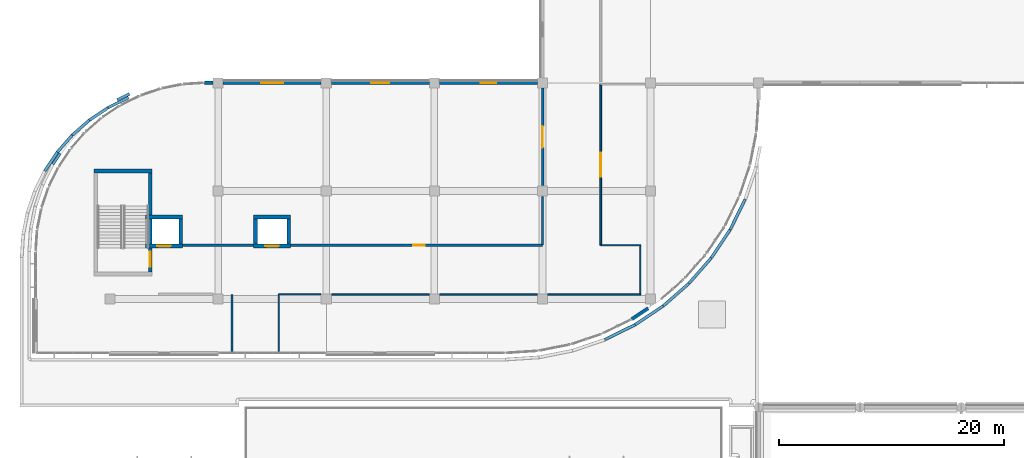
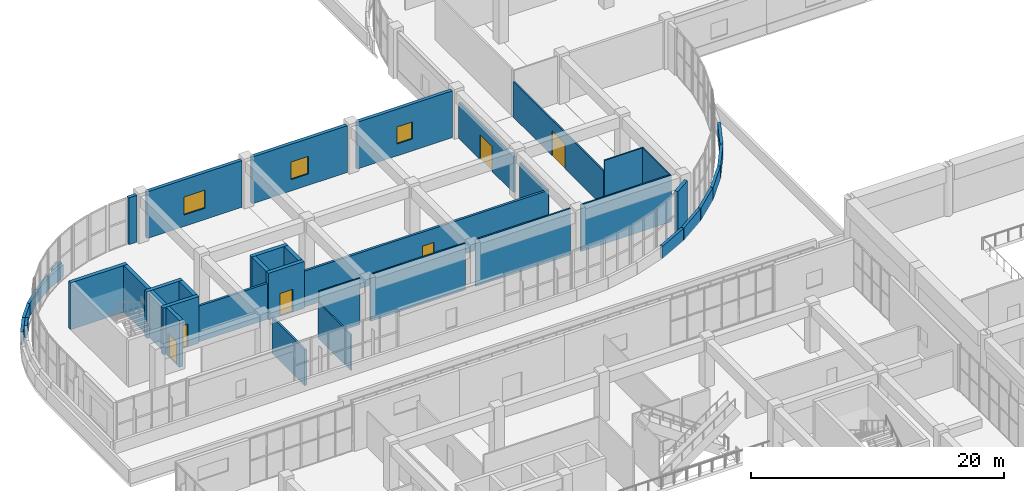
# One storey, part 68 of 96: 40 walls, 6 doors, 3 windows, 9 openings.
"""IFC4 building model written with IfcOpenShell, lengths in metres."""

from ifc_helpers import new_model, si_unit, direction, frame, frame_2d, origin, place, context, subcontext, project, spatial, rectangle, extrude, material, layer, layer_set, type_object, element, fill, save


model = new_model("IFC4")

# Units and contexts
model_context = context("Model", 3, precision=1e-05, world=origin(), true_north=direction((0.0, 1.0)))
body_context = subcontext(model_context, "Body", "Model", "MODEL_VIEW")
ifc_project = project(units=[si_unit("LENGTHUNIT", "METRE"), si_unit("AREAUNIT", "SQUARE_METRE"), si_unit("VOLUMEUNIT", "CUBIC_METRE"), si_unit("PLANEANGLEUNIT", "RADIAN"), si_unit("MASSUNIT", "GRAM", prefix="KILO")], contexts=[model_context])

# Site, building, storey
site_placement = place(None, origin())
site = spatial("IfcSite", under=ifc_project, at=site_placement, CompositionType="ELEMENT")
building_placement = place(site_placement, origin())
building = spatial("IfcBuilding", under=site, at=building_placement, Name="Cendralis Terraced Arcade", CompositionType="ELEMENT")
storey_placement = place(building_placement, frame((0.0, 0.0, 10.199951171875)))
storey = spatial("IfcBuildingStorey", under=building, at=storey_placement, Name="L02", CompositionType="ELEMENT", Elevation=10.199951171875)

# Wall
ifc_material_1 = material(Name="Gypsum plasterboard acoustic partition", Category="concrete")
ifc_layer_1 = layer(ifc_material_1, 0.199951171875, Name="WL-ACOU-200")
ifc_layer_set_1 = layer_set([ifc_layer_1], Name="Gypsum plasterboard acoustic partition")
wall_type_1 = type_object("IfcWallType", Name="WL-ACOU-200", PredefinedType="PARTITIONING", material=ifc_layer_set_1)
wall_1_placement = place(storey_placement, frame((22.360107421875, 74.3798828125, 0.0), z_axis=(0.0, 0.0, 1.0), x_axis=(-1.0, 0.0, 0.0)))
element("IfcWall", 1, at=wall_1_placement, inside=storey, type_object=wall_type_1, Name="Interior Partition Wall IW-L02-0465", PredefinedType="PARTITIONING", context=body_context, shape_type="SweptSolid", body=[
    extrude(rectangle(XDim=6.320068359375, YDim=0.199951171875, at=frame_2d((3.16015625, 0.0))), origin(), (0.0, 0.0, 1.0), 3.455078125),
])

# Wall, opening, door
ifc_layer_2 = layer(ifc_material_1, 0.205078125, Name="WL-ACOU-205")
ifc_layer_set_2 = layer_set([ifc_layer_2], Name="Gypsum plasterboard acoustic partition")
wall_type_2 = type_object("IfcWallType", Name="WL-ACOU-205", PredefinedType="PARTITIONING", material=ifc_layer_set_2)
wall_2_placement = place(storey_placement, frame((48.01953125, 88.330078125, 0.0), z_axis=(0.0, 0.0, 1.0), x_axis=(2.8191249e-05, -0.999999999603, 0.0)))
wall_2 = element("IfcWall", 2, at=wall_2_placement, inside=storey, type_object=wall_type_2, Name="Interior Partition Wall IW-L02-0464", PredefinedType="PARTITIONING", context=body_context, shape_type="SweptSolid", body=[
    extrude(rectangle(XDim=8.66015625, YDim=0.205078125, at=frame_2d((4.330078125, 0.0))), origin(), (0.0, 0.0, 1.0), 3.455078125),
])
opening_1_placement = place(wall_2_placement, frame((3.3701171875, 0.0, 0.0)))
opening_1 = element("IfcOpeningElement", 3, at=opening_1_placement, cuts=wall_2, Name="Opening D-L02-127", PredefinedType="OPENING", context=body_context, shape_type="SweptSolid", body=[
    extrude(rectangle(XDim=1.919921875, YDim=2.3798828125, at=frame_2d((0.9599609375, 1.18994140625))), frame((0.0, 0.114501953125, 0.0), z_axis=(0.0, -1.0, 0.0), x_axis=(1.0, 0.0, 0.0)), (0.0, 0.0, 1.0), 0.22900390625),
])
ifc_material_2 = material(Name="Solid core Andean oak veneer door leaf", Category="aluminium")
door_type_1 = type_object("IfcDoorType", Name="ID-DEP-1920x2380", OperationType="DOUBLE_DOOR_SINGLE_SWING", PredefinedType="DOOR", material=ifc_material_2)
door_1_placement = place(opening_1_placement, origin())
door_1 = element("IfcDoor", 4, at=door_1_placement, inside=storey, type_object=door_type_1, Name="Homeware and Furniture Showroom Door D-L02-127", OperationType="DOUBLE_DOOR_SINGLE_SWING", OverallHeight=2.3798828125, OverallWidth=1.919921875, PredefinedType="DOOR", context=body_context, shape_type="SweptSolid", body=[
    extrude(rectangle(XDim=1.919921875, YDim=2.3798828125, at=frame_2d((0.9599609375, 1.18994140625))), frame((0.0, 0.02490234375, 0.0), z_axis=(0.0, -1.0, 0.0), x_axis=(1.0, 0.0, 0.0)), (0.0, 0.0, 1.0), 0.050048828125),
])
fill(opening_1, door_1)

ifc_layer_3 = layer(ifc_material_1, 0.2099609375, Name="WL-ACOU-210")
ifc_layer_set_3 = layer_set([ifc_layer_3], Name="Gypsum plasterboard acoustic partition")
wall_type_3 = type_object("IfcWallType", Name="WL-ACOU-210", PredefinedType="PARTITIONING", material=ifc_layer_set_3)
wall_3_placement = place(storey_placement, frame((48.02001953125, 74.3798828125, 0.0), z_axis=(0.0, 0.0, 1.0), x_axis=(-1.0, 0.0, 0.0)))
wall_3 = element("IfcWall", 5, at=wall_3_placement, inside=storey, type_object=wall_type_3, Name="Interior Partition Wall IW-L02-0463", PredefinedType="PARTITIONING", context=body_context, shape_type="SweptSolid", body=[
    extrude(rectangle(XDim=22.380126953125, YDim=0.2099609375, at=frame_2d((11.18994140625, 0.0))), origin(), (0.0, 0.0, 1.0), 3.455078125),
])
opening_2_placement = place(wall_3_placement, frame((10.4619140625, 0.0, 0.0)))
opening_2 = element("IfcOpeningElement", 6, at=opening_2_placement, cuts=wall_3, Name="Opening D-L02-126", PredefinedType="OPENING", context=body_context, shape_type="SweptSolid", body=[
    extrude(rectangle(XDim=1.050048828125, YDim=2.10009765625, at=frame_2d((0.52490234375, 1.050048828125))), frame((0.0, 0.116943359375, 0.0), z_axis=(0.0, -1.0, 0.0), x_axis=(1.0, 0.0, 0.0)), (0.0, 0.0, 1.0), 0.23388671875),
])
door_type_2 = type_object("IfcDoorType", Name="ID-RM-1050x2100", OperationType="NOTDEFINED", PredefinedType="DOOR", material=ifc_material_2)
door_2_placement = place(opening_2_placement, origin())
door_2 = element("IfcDoor", 7, at=door_2_placement, inside=storey, type_object=door_type_2, Name="Homeware and Furniture Showroom Door D-L02-126", OperationType="SINGLE_SWING_LEFT", OverallHeight=2.10009765625, OverallWidth=1.050048828125, PredefinedType="DOOR", context=body_context, shape_type="SweptSolid", body=[
    extrude(rectangle(XDim=1.050048828125, YDim=2.10009765625, at=frame_2d((0.52490234375, 1.050048828125))), frame((0.0, 0.02490234375, 0.0), z_axis=(0.0, -1.0, 0.0), x_axis=(1.0, 0.0, 0.0)), (0.0, 0.0, 1.0), 0.050048828125),
])
fill(opening_2, door_2)

# Wall
ifc_material_3 = material(Name="Concrete f'c 42 MPa", Category="concrete")
ifc_layer_4 = layer(ifc_material_3, 0.340087890625, Name="WL-CORE-340")
ifc_layer_set_4 = layer_set([ifc_layer_4], Name="Concrete f'c 42 MPa")
wall_type_4 = type_object("IfcWallType", Name="WL-CORE-340", PredefinedType="SHEAR", material=ifc_layer_set_4)
wall_4_placement = place(storey_placement, frame((8.159912109375, 80.969970703125, 0.0), z_axis=(0.0, 0.0, 1.0), x_axis=(1.0, 0.0, 0.0)))
element("IfcWall", 8, at=wall_4_placement, inside=storey, type_object=wall_type_4, Name="Stair Core Reinforced Concrete Shear Wall SW-ST-07-L02-N", PredefinedType="SHEAR", context=body_context, shape_type="SweptSolid", body=[
    extrude(rectangle(XDim=5.18017578125, YDim=0.340087890625, at=frame_2d((2.590087890625, 0.0))), origin(), (0.0, 0.0, 1.0), 4.51513671875),
])

# Wall, opening, door
wall_5_placement = place(storey_placement, frame((13.169921875, 72.0, 0.0), z_axis=(0.0, 0.0, 1.0), x_axis=(0.0, 1.0, 0.0)))
wall_5 = element("IfcWall", 9, at=wall_5_placement, inside=storey, type_object=wall_type_4, Name="Stair Core Reinforced Concrete Shear Wall SW-ST-07-L02-E", PredefinedType="SHEAR", context=body_context, shape_type="SweptSolid", body=[
    extrude(rectangle(XDim=8.800048828125, YDim=0.340087890625, at=frame_2d((4.39990234375, 0.0))), origin(), (0.0, 0.0, 1.0), 4.51513671875),
])
opening_3_placement = place(wall_5_placement, frame((0.449951171875, 0.0, 0.0)))
opening_3 = element("IfcOpeningElement", 10, at=opening_3_placement, cuts=wall_5, Name="Opening D-ST-07-L02", PredefinedType="OPENING", context=body_context, shape_type="SweptSolid", body=[
    extrude(rectangle(XDim=1.35009765625, YDim=2.199951171875, at=frame_2d((0.675048828125, 1.10009765625))), frame((0.0, 0.18212890625, 0.0), z_axis=(0.0, -1.0, 0.0), x_axis=(1.0, 0.0, 0.0)), (0.0, 0.0, 1.0), 0.364013671875),
])
ifc_material_4 = material(Name="Galvanised fire-rated steel door assembly", Category="steel")
door_type_3 = type_object("IfcDoorType", Name="ID-ST-1350x2200", OperationType="NOTDEFINED", PredefinedType="DOOR", material=ifc_material_4)
door_3_placement = place(opening_3_placement, origin())
door_3 = element("IfcDoor", 11, at=door_3_placement, inside=storey, type_object=door_type_3, Name="Protected Stair ST-07 Fire Door (L02)", OperationType="SINGLE_SWING_RIGHT", OverallHeight=2.199951171875, OverallWidth=1.35009765625, PredefinedType="DOOR", context=body_context, shape_type="SweptSolid", body=[
    extrude(rectangle(XDim=1.35009765625, YDim=2.199951171875, at=frame_2d((0.675048828125, 1.10009765625))), frame((0.0, 0.02490234375, 0.0), z_axis=(0.0, -1.0, 0.0), x_axis=(1.0, 0.0, 0.0)), (0.0, 0.0, 1.0), 0.050048828125),
])
fill(opening_3, door_3)

wall_6_placement = place(storey_placement, frame((12.760009765625, 74.304931640625, 0.0), z_axis=(0.0, 0.0, 1.0), x_axis=(1.0, 0.0, 0.0)))
wall_6 = element("IfcWall", 12, at=wall_6_placement, inside=storey, type_object=wall_type_4, Name="Lift PL-05 Reinforced Concrete Shaft Wall (L02)", PredefinedType="SHEAR", context=body_context, shape_type="SweptSolid", body=[
    extrude(rectangle(XDim=3.280029296875, YDim=0.340087890625, at=frame_2d((1.64013671875, 0.0))), origin(), (0.0, 0.0, 1.0), 4.51513671875),
])
opening_4_placement = place(wall_6_placement, frame((1.0400390625, 0.0, 0.0)))
opening_4 = element("IfcOpeningElement", 13, at=opening_4_placement, cuts=wall_6, Name="Opening LD-PL-05-L02", PredefinedType="OPENING", context=body_context, shape_type="SweptSolid", body=[
    extrude(rectangle(XDim=1.199951171875, YDim=2.199951171875, at=frame_2d((0.60009765625, 1.10009765625))), frame((0.0, 0.18212890625, 0.0), z_axis=(0.0, -1.0, 0.0), x_axis=(1.0, 0.0, 0.0)), (0.0, 0.0, 1.0), 0.364013671875),
])
ifc_material_5 = material(Name="Anodised aluminium sliding door assembly", Category="aluminium")
door_type_4 = type_object("IfcDoorType", Name="ID-LD-PX-1200x2200", OperationType="DOUBLE_DOOR_SLIDING", PredefinedType="DOOR", material=ifc_material_5)
door_4_placement = place(opening_4_placement, origin())
door_4 = element("IfcDoor", 14, at=door_4_placement, inside=storey, type_object=door_type_4, Name="Lift PL-05 Sliding Landing Door (L02)", OperationType="DOUBLE_DOOR_SLIDING", OverallHeight=2.199951171875, OverallWidth=1.199951171875, PredefinedType="DOOR", context=body_context, shape_type="SweptSolid", body=[
    extrude(rectangle(XDim=1.199951171875, YDim=2.199951171875, at=frame_2d((0.60009765625, 1.10009765625))), frame((0.0, 0.02490234375, 0.0), z_axis=(0.0, -1.0, 0.0), x_axis=(1.0, 0.0, 0.0)), (0.0, 0.0, 1.0), 0.050048828125),
])
fill(opening_4, door_4)

# Walls
wall_7_placement = place(storey_placement, frame((12.760009765625, 76.89501953125, 0.0), z_axis=(0.0, 0.0, 1.0), x_axis=(1.0, 0.0, 0.0)))
element("IfcWall", 15, at=wall_7_placement, inside=storey, type_object=wall_type_4, Name="Lift PL-05 Reinforced Concrete Shaft Wall (L02)", PredefinedType="SHEAR", context=body_context, shape_type="SweptSolid", body=[
    extrude(rectangle(XDim=3.280029296875, YDim=0.340087890625, at=frame_2d((1.64013671875, 0.0))), origin(), (0.0, 0.0, 1.0), 4.51513671875),
])
wall_8_placement = place(storey_placement, frame((15.8701171875, 74.47509765625, 0.0), z_axis=(0.0, 0.0, 1.0), x_axis=(0.0, 1.0, 0.0)))
element("IfcWall", 16, at=wall_8_placement, inside=storey, type_object=wall_type_4, Name="Lift PL-05 Reinforced Concrete Shaft Wall (L02)", PredefinedType="SHEAR", context=body_context, shape_type="SweptSolid", body=[
    extrude(rectangle(XDim=2.25, YDim=0.340087890625, at=frame_2d((1.125, 0.0))), origin(), (0.0, 0.0, 1.0), 4.51513671875),
])

# Wall, opening, door
wall_9_placement = place(storey_placement, frame((22.360107421875, 74.304931640625, 0.0), z_axis=(0.0, 0.0, 1.0), x_axis=(1.0, 0.0, 0.0)))
wall_9 = element("IfcWall", 17, at=wall_9_placement, inside=storey, type_object=wall_type_4, Name="Lift PL-06 Reinforced Concrete Shaft Wall (L02)", PredefinedType="SHEAR", context=body_context, shape_type="SweptSolid", body=[
    extrude(rectangle(XDim=3.27978515625, YDim=0.340087890625, at=frame_2d((1.639892578125, 0.0))), origin(), (0.0, 0.0, 1.0), 4.51513671875),
])
opening_5_placement = place(wall_9_placement, frame((1.0400390625, 0.0, 0.0)))
opening_5 = element("IfcOpeningElement", 18, at=opening_5_placement, cuts=wall_9, Name="Opening LD-PL-06-L02", PredefinedType="OPENING", context=body_context, shape_type="SweptSolid", body=[
    extrude(rectangle(XDim=1.199951171875, YDim=2.199951171875, at=frame_2d((0.60009765625, 1.10009765625))), frame((0.0, 0.18212890625, 0.0), z_axis=(0.0, -1.0, 0.0), x_axis=(1.0, 0.0, 0.0)), (0.0, 0.0, 1.0), 0.364013671875),
])
door_5_placement = place(opening_5_placement, origin())
door_5 = element("IfcDoor", 19, at=door_5_placement, inside=storey, type_object=door_type_4, Name="Lift PL-06 Sliding Landing Door (L02)", OperationType="DOUBLE_DOOR_SLIDING", OverallHeight=2.199951171875, OverallWidth=1.199951171875, PredefinedType="DOOR", context=body_context, shape_type="SweptSolid", body=[
    extrude(rectangle(XDim=1.199951171875, YDim=2.199951171875, at=frame_2d((0.60009765625, 1.10009765625))), frame((0.0, 0.02490234375, 0.0), z_axis=(0.0, -1.0, 0.0), x_axis=(1.0, 0.0, 0.0)), (0.0, 0.0, 1.0), 0.050048828125),
])
fill(opening_5, door_5)

# Walls
wall_10_placement = place(storey_placement, frame((22.360107421875, 76.89501953125, 0.0), z_axis=(0.0, 0.0, 1.0), x_axis=(1.0, 0.0, 0.0)))
element("IfcWall", 20, at=wall_10_placement, inside=storey, type_object=wall_type_4, Name="Lift PL-06 Reinforced Concrete Shaft Wall (L02)", PredefinedType="SHEAR", context=body_context, shape_type="SweptSolid", body=[
    extrude(rectangle(XDim=3.27978515625, YDim=0.340087890625, at=frame_2d((1.639892578125, 0.0))), origin(), (0.0, 0.0, 1.0), 4.51513671875),
])
for number, where, z_axis, x_axis, name in (
    (21, (22.530029296875, 74.47509765625, 0.0), (0.0, 0.0, 1.0), (0.0, 1.0, 0.0), "Lift PL-06 Reinforced Concrete Shaft Wall (L02)"),
    (22, (25.469970703125, 74.47509765625, 0.0), (0.0, 0.0, 1.0), (0.0, 1.0, 0.0), "Lift PL-06 Reinforced Concrete Shaft Wall (L02)"),
):
    element("IfcWall", number, at=place(storey_placement, frame(where, z_axis=z_axis, x_axis=x_axis)), inside=storey, type_object=wall_type_4, Name=name, PredefinedType="SHEAR", context=body_context, shape_type="SweptSolid", body=[
        extrude(rectangle(XDim=2.25, YDim=0.340087890625, at=frame_2d((1.125, 0.0))), origin(), (0.0, 0.0, 1.0), 4.51513671875),
    ])
ifc_material_6 = material(Name="Precast concrete f'c 40 MPa", Category="concrete")
ifc_layer_5 = layer(ifc_material_6, 0.300048828125, Name="WL-EXT-GRC-300")
ifc_layer_set_5 = layer_set([ifc_layer_5], Name="Precast concrete f'c 40 MPa")
wall_type_5 = type_object("IfcWallType", Name="WL-EXT-GRC-300", PredefinedType="SOLIDWALL", material=ifc_layer_set_5)
wall_11_placement = place(storey_placement, frame((57.398193359375, 68.781982421875, 0.0), z_axis=(0.0, 0.0, 1.0), x_axis=(-0.831510771477, -0.555508629023, 0.0)))
element("IfcWall", 23, at=wall_11_placement, inside=storey, type_object=wall_type_5, Name="Exterior Architectural Wall EW-L02-0168", PredefinedType="SOLIDWALL", context=body_context, shape_type="SweptSolid", body=[
    extrude(rectangle(XDim=1.74169921875, YDim=0.300048828125, at=frame_2d((0.870849609375, 0.0))), origin(), (0.0, 0.0, 1.0), 4.51513671875),
])
wall_12_placement = place(storey_placement, frame((18.0, 88.800048828125, 0.0), z_axis=(0.0, 0.0, 1.0), x_axis=(1.0, 0.0, 0.0)))
element("IfcWall", 24, at=wall_12_placement, inside=storey, type_object=wall_type_5, Name="Exterior Architectural Wall EW-L02-0172", PredefinedType="SOLIDWALL", context=body_context, shape_type="SweptSolid", body=[
    extrude(rectangle(XDim=0.751953125, YDim=0.300048828125, at=frame_2d((0.3759765625, 0.0))), origin(), (0.0, 0.0, 1.0), 4.51513671875),
])

# Wall, opening, window
wall_13_placement = place(storey_placement, frame((19.64794921875, 88.800048828125, 0.0), z_axis=(0.0, 0.0, 1.0), x_axis=(1.0, 0.0, 0.0)))
wall_13 = element("IfcWall", 25, at=wall_13_placement, inside=storey, type_object=wall_type_5, Name="Exterior Architectural Wall EW-L02-0173", PredefinedType="SOLIDWALL", context=body_context, shape_type="SweptSolid", body=[
    extrude(rectangle(XDim=8.7041015625, YDim=0.300048828125, at=frame_2d((4.35205078125, 0.0))), origin(), (0.0, 0.0, 1.0), 4.51513671875),
])
opening_6_placement = place(wall_13_placement, frame((3.376953125, 0.0, 1.10009765625)))
opening_6 = element("IfcOpeningElement", 26, at=opening_6_placement, cuts=wall_13, Name="Opening W-27", PredefinedType="OPENING", context=body_context, shape_type="SweptSolid", body=[
    extrude(rectangle(XDim=1.949951171875, YDim=1.75, at=frame_2d((0.97509765625, 0.875))), frame((0.0, 0.162109375, 0.0), z_axis=(0.0, -1.0, 0.0), x_axis=(1.0, 0.0, 0.0)), (0.0, 0.0, 1.0), 0.323974609375),
])
ifc_material_7 = material(Name="Tempered solar control laminated glass", Category="glass")
window_type_1 = type_object("IfcWindowType", Name="WN-F3-1950x1750", PartitioningType="SINGLE_PANEL", PredefinedType="WINDOW", material=ifc_material_7)
window_1_placement = place(opening_6_placement, origin())
window_1 = element("IfcWindow", 27, at=window_1_placement, inside=storey, type_object=window_type_1, Name="Exterior Solar-Control Window WN-L02-0111", OverallHeight=1.75, OverallWidth=1.949951171875, PartitioningType="SINGLE_PANEL", PredefinedType="WINDOW", context=body_context, shape_type="SweptSolid", body=[
    extrude(rectangle(XDim=1.949951171875, YDim=1.75, at=frame_2d((0.97509765625, 0.875))), frame((0.0, 0.030029296875, 0.0), z_axis=(0.0, -1.0, 0.0), x_axis=(1.0, 0.0, 0.0)), (0.0, 0.0, 1.0), 0.06005859375),
])
fill(opening_6, window_1)

wall_14_placement = place(storey_placement, frame((29.248046875, 88.800048828125, 0.0), z_axis=(0.0, 0.0, 1.0), x_axis=(1.0, 0.0, 0.0)))
wall_14 = element("IfcWall", 28, at=wall_14_placement, inside=storey, type_object=wall_type_5, Name="Exterior Architectural Wall EW-L02-0174", PredefinedType="SOLIDWALL", context=body_context, shape_type="SweptSolid", body=[
    extrude(rectangle(XDim=8.703857421875, YDim=0.300048828125, at=frame_2d((4.35205078125, 0.0))), origin(), (0.0, 0.0, 1.0), 4.51513671875),
])
opening_7_placement = place(wall_14_placement, frame((3.552001953125, 0.0, 1.10009765625)))
opening_7 = element("IfcOpeningElement", 29, at=opening_7_placement, cuts=wall_14, Name="Opening W-28", PredefinedType="OPENING", context=body_context, shape_type="SweptSolid", body=[
    extrude(rectangle(XDim=1.60009765625, YDim=1.699951171875, at=frame_2d((0.800048828125, 0.85009765625))), frame((0.0, 0.162109375, 0.0), z_axis=(0.0, -1.0, 0.0), x_axis=(1.0, 0.0, 0.0)), (0.0, 0.0, 1.0), 0.323974609375),
])
window_type_2 = type_object("IfcWindowType", Name="WN-F3-1600x1700", PartitioningType="SINGLE_PANEL", PredefinedType="WINDOW", material=ifc_material_7)
window_2_placement = place(opening_7_placement, origin())
window_2 = element("IfcWindow", 30, at=window_2_placement, inside=storey, type_object=window_type_2, Name="Exterior Solar-Control Window WN-L02-0112", OverallHeight=1.699951171875, OverallWidth=1.60009765625, PartitioningType="SINGLE_PANEL", PredefinedType="WINDOW", context=body_context, shape_type="SweptSolid", body=[
    extrude(rectangle(XDim=1.60009765625, YDim=1.699951171875, at=frame_2d((0.800048828125, 0.85009765625))), frame((0.0, 0.030029296875, 0.0), z_axis=(0.0, -1.0, 0.0), x_axis=(1.0, 0.0, 0.0)), (0.0, 0.0, 1.0), 0.06005859375),
])
fill(opening_7, window_2)

wall_15_placement = place(storey_placement, frame((38.847900390625, 88.800048828125, 0.0), z_axis=(0.0, 0.0, 1.0), x_axis=(1.0, 0.0, 0.0)))
wall_15 = element("IfcWall", 31, at=wall_15_placement, inside=storey, type_object=wall_type_5, Name="Exterior Architectural Wall EW-L02-0175", PredefinedType="SOLIDWALL", context=body_context, shape_type="SweptSolid", body=[
    extrude(rectangle(XDim=8.7041015625, YDim=0.300048828125, at=frame_2d((4.35205078125, 0.0))), origin(), (0.0, 0.0, 1.0), 4.51513671875),
])
opening_8_placement = place(wall_15_placement, frame((3.652099609375, 0.0, 1.14990234375)))
opening_8 = element("IfcOpeningElement", 32, at=opening_8_placement, cuts=wall_15, Name="Opening W-29", PredefinedType="OPENING", context=body_context, shape_type="SweptSolid", body=[
    extrude(rectangle(XDim=1.39990234375, YDim=1.64990234375, at=frame_2d((0.699951171875, 0.824951171875))), frame((0.0, 0.162109375, 0.0), z_axis=(0.0, -1.0, 0.0), x_axis=(1.0, 0.0, 0.0)), (0.0, 0.0, 1.0), 0.323974609375),
])
window_type_3 = type_object("IfcWindowType", Name="WN-F3-1400x1650", PartitioningType="SINGLE_PANEL", PredefinedType="WINDOW", material=ifc_material_7)
window_3_placement = place(opening_8_placement, origin())
window_3 = element("IfcWindow", 33, at=window_3_placement, inside=storey, type_object=window_type_3, Name="Exterior Solar-Control Window WN-L02-0113", OverallHeight=1.64990234375, OverallWidth=1.39990234375, PartitioningType="SINGLE_PANEL", PredefinedType="WINDOW", context=body_context, shape_type="SweptSolid", body=[
    extrude(rectangle(XDim=1.39990234375, YDim=1.64990234375, at=frame_2d((0.699951171875, 0.824951171875))), frame((0.0, 0.030029296875, 0.0), z_axis=(0.0, -1.0, 0.0), x_axis=(1.0, 0.0, 0.0)), (0.0, 0.0, 1.0), 0.06005859375),
])
fill(opening_8, window_3)

# Walls
ifc_layer_6 = layer(ifc_material_6, 0.25, Name="WL-PAR-250")
ifc_layer_set_6 = layer_set([ifc_layer_6], Name="Precast concrete f'c 40 MPa")
wall_type_6 = type_object("IfcWallType", Name="WL-PAR-250", PredefinedType="PARAPET", material=ifc_layer_set_6)
wall_16_placement = place(storey_placement, frame((3.797119140625, 80.969482421875, 0.0), z_axis=(0.0, 0.0, 1.0), x_axis=(0.555589088765, 0.831457012987, 0.0)))
element("IfcWall", 34, at=wall_16_placement, inside=storey, type_object=wall_type_6, Name="Precast Concrete Roof Parapet Wall PAR-L02-003", PredefinedType="PARAPET", context=body_context, shape_type="SweptSolid", body=[
    extrude(rectangle(XDim=2.027587890625, YDim=0.25, at=frame_2d((1.013671875, 0.0))), origin(), (0.0, 0.0, 1.0), 1.199951171875),
])
wall_17_placement = place(storey_placement, frame((4.912109375, 82.64013671875, 0.0), z_axis=(0.0, 0.0, 1.0), x_axis=(0.659288565747, 0.751890009959, 0.0)))
element("IfcWall", 35, at=wall_17_placement, inside=storey, type_object=wall_type_6, Name="Precast Concrete Roof Parapet Wall PAR-L02-004", PredefinedType="PARAPET", context=body_context, shape_type="SweptSolid", body=[
    extrude(rectangle(XDim=2.02734375, YDim=0.25, at=frame_2d((1.013671875, 0.0))), origin(), (0.0, 0.0, 1.0), 1.199951171875),
])
for number, where, z_axis, x_axis, name in (
    (36, (6.2353515625, 84.151123046875, 0.0), (0.0, 0.0, 1.0), (0.751830318908, 0.659356634584, 0.0), "Precast Concrete Roof Parapet Wall PAR-L02-005"),
    (37, (7.744873046875, 85.476318359375, 0.0), (0.0, 0.0, 1.0), (0.831457012987, 0.555589088765, 0.0), "Precast Concrete Roof Parapet Wall PAR-L02-006"),
):
    element("IfcWall", number, at=place(storey_placement, frame(where, z_axis=z_axis, x_axis=x_axis)), inside=storey, type_object=wall_type_6, Name=name, PredefinedType="PARAPET", context=body_context, shape_type="SweptSolid", body=[
        extrude(rectangle(XDim=2.027587890625, YDim=0.25, at=frame_2d((1.013671875, 0.0))), origin(), (0.0, 0.0, 1.0), 1.199951171875),
    ])
wall_18_placement = place(storey_placement, frame((9.4140625, 86.593505859375, 0.0), z_axis=(0.0, 0.0, 1.0), x_axis=(0.896917980812, 0.442196942205, 0.0)))
element("IfcWall", 38, at=wall_18_placement, inside=storey, type_object=wall_type_6, Name="Precast Concrete Roof Parapet Wall PAR-L02-007", PredefinedType="PARAPET", context=body_context, shape_type="SweptSolid", body=[
    extrude(rectangle(XDim=2.02734375, YDim=0.25, at=frame_2d((1.013671875, 0.0))), origin(), (0.0, 0.0, 1.0), 1.199951171875),
])
wall_19_placement = place(storey_placement, frame((11.31103515625, 87.8203125, 0.0), z_axis=(0.0, 0.0, 1.0), x_axis=(-0.896874158329, -0.442285817229, 0.0)))
element("IfcWall", 39, at=wall_19_placement, inside=storey, type_object=wall_type_6, Name="Precast Concrete Roof Parapet Wall PAR-L02-008", PredefinedType="PARAPET", context=body_context, shape_type="SweptSolid", body=[
    extrude(rectangle(XDim=1.21044921875, YDim=0.25, at=frame_2d((0.605224609375, 0.0))), origin(), (0.0, 0.0, 1.0), 1.199951171875),
])
wall_20_placement = place(storey_placement, frame((5.158203125, 82.53955078125, 0.0), z_axis=(0.0, 0.0, 1.0), x_axis=(-0.555588874493, -0.831457156166, 0.0)))
element("IfcWall", 40, at=wall_20_placement, inside=storey, type_object=wall_type_6, Name="Precast Concrete Roof Parapet Wall PAR-L02-012", PredefinedType="PARAPET", context=body_context, shape_type="SweptSolid", body=[
    extrude(rectangle(XDim=1.140869140625, YDim=0.25, at=frame_2d((0.5703125, 0.0))), origin(), (0.0, 0.0, 1.0), 1.199951171875),
])
for number, where, z_axis, x_axis, name in (
    (41, (53.53564453125, 65.993896484375, 0.0), (0.0, 0.0, 1.0), (0.896889012197, 0.442255695046, 0.0), "Precast Concrete Roof Parapet Wall PAR-L02-022"),
    (42, (56.2412109375, 67.329345703125, 0.0), (0.0, 0.0, 1.0), (0.831435901593, 0.555620681349, 0.0), "Precast Concrete Roof Parapet Wall PAR-L02-023"),
):
    element("IfcWall", number, at=place(storey_placement, frame(where, z_axis=z_axis, x_axis=x_axis)), inside=storey, type_object=wall_type_6, Name=name, PredefinedType="PARAPET", context=body_context, shape_type="SweptSolid", body=[
        extrude(rectangle(XDim=2.998046875, YDim=0.25, at=frame_2d((1.4990234375, 0.0))), origin(), (0.0, 0.0, 1.0), 1.199951171875),
    ])
for number, where, z_axis, x_axis, name in (
    (43, (58.748779296875, 69.006591796875, 0.0), (0.0, 0.0, 1.0), (0.751880196972, 0.659299756864, 0.0), "Precast Concrete Roof Parapet Wall PAR-L02-024"),
    (44, (61.0166015625, 70.996826171875, 0.0), (0.0, 0.0, 1.0), (0.659299756864, 0.751880196972, 0.0), "Precast Concrete Roof Parapet Wall PAR-L02-025"),
):
    element("IfcWall", number, at=place(storey_placement, frame(where, z_axis=z_axis, x_axis=x_axis)), inside=storey, type_object=wall_type_6, Name=name, PredefinedType="PARAPET", context=body_context, shape_type="SweptSolid", body=[
        extrude(rectangle(XDim=2.998291015625, YDim=0.25, at=frame_2d((1.4990234375, 0.0))), origin(), (0.0, 0.0, 1.0), 1.199951171875),
    ])
for number, where, z_axis, x_axis, name in (
    (45, (63.0048828125, 73.26611328125, 0.0), (0.0, 0.0, 1.0), (0.555620681349, 0.831435901593, 0.0), "Precast Concrete Roof Parapet Wall PAR-L02-026"),
    (46, (64.68017578125, 75.775390625, 0.0), (0.0, 0.0, 1.0), (0.442255695046, 0.896889012197, 0.0), "Precast Concrete Roof Parapet Wall PAR-L02-027"),
):
    element("IfcWall", number, at=place(storey_placement, frame(where, z_axis=z_axis, x_axis=x_axis)), inside=storey, type_object=wall_type_6, Name=name, PredefinedType="PARAPET", context=body_context, shape_type="SweptSolid", body=[
        extrude(rectangle(XDim=2.998046875, YDim=0.25, at=frame_2d((1.4990234375, 0.0))), origin(), (0.0, 0.0, 1.0), 1.199951171875),
    ])
ifc_layer_7 = layer(ifc_material_1, 0.10791015625, Name="WL-PART-108")
ifc_layer_set_7 = layer_set([ifc_layer_7], Name="Gypsum plasterboard acoustic partition")
wall_type_7 = type_object("IfcWallType", Name="WL-PART-108", PredefinedType="PARTITIONING", material=ifc_layer_set_7)
wall_21_placement = place(storey_placement, frame((56.679931640625, 70.0830078125, 0.0), z_axis=(0.0, 0.0, 1.0), x_axis=(0.0, 1.0, 0.0)))
element("IfcWall", 47, at=wall_21_placement, inside=storey, type_object=wall_type_7, Name="Interior Partition Wall IW-L02-0461", PredefinedType="PARTITIONING", context=body_context, shape_type="SweptSolid", body=[
    extrude(rectangle(XDim=4.240966796875, YDim=0.10791015625, at=frame_2d((2.12060546875, 0.0))), origin(), (0.0, 0.0, 1.0), 4.51513671875),
])
ifc_layer_8 = layer(ifc_material_1, 0.112060546875, Name="WL-PART-112")
ifc_layer_set_8 = layer_set([ifc_layer_8], Name="Gypsum plasterboard acoustic partition")
wall_type_8 = type_object("IfcWallType", Name="WL-PART-112", PredefinedType="PARTITIONING", material=ifc_layer_set_8)
wall_22_placement = place(storey_placement, frame((56.73388671875, 74.3798828125, 0.0), z_axis=(0.0, 0.0, 1.0), x_axis=(-1.0, 0.0, 0.0)))
element("IfcWall", 48, at=wall_22_placement, inside=storey, type_object=wall_type_8, Name="Interior Partition Wall IW-L02-0460", PredefinedType="PARTITIONING", context=body_context, shape_type="SweptSolid", body=[
    extrude(rectangle(XDim=3.553955078125, YDim=0.112060546875, at=frame_2d((1.77685546875, 0.0))), origin(), (0.0, 0.0, 1.0), 4.51513671875),
])
ifc_layer_9 = layer(ifc_material_1, 0.114990234375, Name="WL-PART-115")
ifc_layer_set_9 = layer_set([ifc_layer_9], Name="Gypsum plasterboard acoustic partition")
wall_type_9 = type_object("IfcWallType", Name="WL-PART-115", PredefinedType="PARTITIONING", material=ifc_layer_set_9)
wall_23_placement = place(storey_placement, frame((24.580078125, 70.02001953125, 0.0), z_axis=(0.0, 0.0, 1.0), x_axis=(1.0, 0.0, 0.0)))
element("IfcWall", 49, at=wall_23_placement, inside=storey, type_object=wall_type_9, Name="Interior Partition Wall IW-L02-0459", PredefinedType="PARTITIONING", context=body_context, shape_type="SweptSolid", body=[
    extrude(rectangle(XDim=3.75, YDim=0.114990234375, at=frame_2d((1.875, 0.0))), origin(), (0.0, 0.0, 1.0), 4.51513671875),
])
ifc_layer_10 = layer(ifc_material_1, 0.1220703125, Name="WL-PART-122")
ifc_layer_set_10 = layer_set([ifc_layer_10], Name="Gypsum plasterboard acoustic partition")
wall_type_10 = type_object("IfcWallType", Name="WL-PART-122", PredefinedType="PARTITIONING", material=ifc_layer_set_10)
wall_24_placement = place(storey_placement, frame((24.580078125, 64.860107421875, 0.0), z_axis=(0.0, 0.0, 1.0), x_axis=(0.0, 1.0, 0.0)))
element("IfcWall", 50, at=wall_24_placement, inside=storey, type_object=wall_type_10, Name="Interior Partition Wall IW-L02-0457", PredefinedType="PARTITIONING", context=body_context, shape_type="SweptSolid", body=[
    extrude(rectangle(XDim=5.159912109375, YDim=0.1220703125, at=frame_2d((2.580078125, 0.0))), origin(), (0.0, 0.0, 1.0), 3.455078125),
])
ifc_layer_11 = layer(ifc_material_1, 0.1259765625, Name="WL-PART-126")
ifc_layer_set_11 = layer_set([ifc_layer_11], Name="Gypsum plasterboard acoustic partition")
wall_type_11 = type_object("IfcWallType", Name="WL-PART-126", PredefinedType="PARTITIONING", material=ifc_layer_set_11)
wall_25_placement = place(storey_placement, frame((48.469970703125, 70.02001953125, 0.0), z_axis=(0.0, 0.0, 1.0), x_axis=(1.0, 0.0, 0.0)))
element("IfcWall", 51, at=wall_25_placement, inside=storey, type_object=wall_type_11, Name="Interior Partition Wall IW-L02-0456", PredefinedType="PARTITIONING", context=body_context, shape_type="SweptSolid", body=[
    extrude(rectangle(XDim=8.263916015625, YDim=0.1259765625, at=frame_2d((4.1318359375, 0.0))), origin(), (0.0, 0.0, 1.0), 4.51513671875),
])
ifc_layer_12 = layer(ifc_material_1, 0.1298828125, Name="WL-PART-130")
ifc_layer_set_12 = layer_set([ifc_layer_12], Name="Gypsum plasterboard acoustic partition")
wall_type_12 = type_object("IfcWallType", Name="WL-PART-130", PredefinedType="PARTITIONING", material=ifc_layer_set_12)
wall_26_placement = place(storey_placement, frame((29.27001953125, 70.02001953125, 0.0), z_axis=(0.0, 0.0, 1.0), x_axis=(1.0, 0.0, 0.0)))
element("IfcWall", 52, at=wall_26_placement, inside=storey, type_object=wall_type_12, Name="Interior Partition Wall IW-L02-0455", PredefinedType="PARTITIONING", context=body_context, shape_type="SweptSolid", body=[
    extrude(rectangle(XDim=8.659912109375, YDim=0.1298828125, at=frame_2d((4.330078125, 0.0))), origin(), (0.0, 0.0, 1.0), 4.51513671875),
])
ifc_layer_13 = layer(ifc_material_1, 0.134033203125, Name="WL-PART-134")
ifc_layer_set_13 = layer_set([ifc_layer_13], Name="Gypsum plasterboard acoustic partition")
wall_type_13 = type_object("IfcWallType", Name="WL-PART-134", PredefinedType="PARTITIONING", material=ifc_layer_set_13)
wall_27_placement = place(storey_placement, frame((38.8701171875, 70.02001953125, 0.0), z_axis=(0.0, 0.0, 1.0), x_axis=(1.0, 0.0, 0.0)))
element("IfcWall", 53, at=wall_27_placement, inside=storey, type_object=wall_type_13, Name="Interior Partition Wall IW-L02-0454", PredefinedType="PARTITIONING", context=body_context, shape_type="SweptSolid", body=[
    extrude(rectangle(XDim=8.659912109375, YDim=0.134033203125, at=frame_2d((4.330078125, 0.0))), origin(), (0.0, 0.0, 1.0), 4.51513671875),
])

# Wall, opening, door
ifc_layer_14 = layer(ifc_material_1, 0.137939453125, Name="WL-PART-138")
ifc_layer_set_14 = layer_set([ifc_layer_14], Name="Gypsum plasterboard acoustic partition")
wall_type_14 = type_object("IfcWallType", Name="WL-PART-138", PredefinedType="PARTITIONING", material=ifc_layer_set_14)
wall_28_placement = place(storey_placement, frame((53.179931640625, 74.3798828125, 0.0), z_axis=(0.0, 0.0, 1.0), x_axis=(0.0, 1.0, 0.0)))
wall_28 = element("IfcWall", 54, at=wall_28_placement, inside=storey, type_object=wall_type_14, Name="Interior Partition Wall IW-L02-0453", PredefinedType="PARTITIONING", context=body_context, shape_type="SweptSolid", body=[
    extrude(rectangle(XDim=14.300048828125, YDim=0.137939453125, at=frame_2d((7.14990234375, 0.0))), origin(), (0.0, 0.0, 1.0), 3.455078125),
])
opening_9_placement = place(wall_28_placement, frame((6.10009765625, 0.0, 0.0)))
opening_9 = element("IfcOpeningElement", 55, at=opening_9_placement, cuts=wall_28, Name="Opening D-L02-125", PredefinedType="OPENING", context=body_context, shape_type="SweptSolid", body=[
    extrude(rectangle(XDim=2.10009765625, YDim=2.419921875, at=frame_2d((1.050048828125, 1.2099609375))), frame((0.0, 0.0810546875, 0.0), z_axis=(0.0, -1.0, 0.0), x_axis=(1.0, 0.0, 0.0)), (0.0, 0.0, 1.0), 0.161865234375),
])
door_type_5 = type_object("IfcDoorType", Name="ID-DEP-2100x2420", OperationType="DOUBLE_DOOR_SINGLE_SWING", PredefinedType="DOOR", material=ifc_material_2)
door_6_placement = place(opening_9_placement, origin())
door_6 = element("IfcDoor", 56, at=door_6_placement, inside=storey, type_object=door_type_5, Name="Homeware and Furniture Showroom Door D-L02-125", OperationType="DOUBLE_DOOR_SINGLE_SWING", OverallHeight=2.419921875, OverallWidth=2.10009765625, PredefinedType="DOOR", context=body_context, shape_type="SweptSolid", body=[
    extrude(rectangle(XDim=2.10009765625, YDim=2.419921875, at=frame_2d((1.050048828125, 1.2099609375))), frame((0.0, 0.02490234375, 0.0), z_axis=(0.0, -1.0, 0.0), x_axis=(1.0, 0.0, 0.0)), (0.0, 0.0, 1.0), 0.050048828125),
])
fill(opening_9, door_6)

# Walls
ifc_layer_15 = layer(ifc_material_1, 0.18505859375, Name="WL-PART-185")
ifc_layer_set_15 = layer_set([ifc_layer_15], Name="Gypsum plasterboard acoustic partition")
wall_type_15 = type_object("IfcWallType", Name="WL-PART-185", PredefinedType="PARTITIONING", material=ifc_layer_set_15)
wall_29_placement = place(storey_placement, frame((48.02001953125, 78.72998046875, 0.0), z_axis=(0.0, 0.0, 1.0), x_axis=(0.0, -1.0, 0.0)))
element("IfcWall", 57, at=wall_29_placement, inside=storey, type_object=wall_type_15, Name="Interior Partition Wall IW-L02-0468", PredefinedType="PARTITIONING", context=body_context, shape_type="SweptSolid", body=[
    extrude(rectangle(XDim=4.35009765625, YDim=0.18505859375, at=frame_2d((2.175048828125, 0.0))), origin(), (0.0, 0.0, 1.0), 3.455078125),
])
ifc_layer_16 = layer(ifc_material_1, 0.18994140625, Name="WL-PART-190")
ifc_layer_set_16 = layer_set([ifc_layer_16], Name="Gypsum plasterboard acoustic partition")
wall_type_16 = type_object("IfcWallType", Name="WL-PART-190", PredefinedType="PARTITIONING", material=ifc_layer_set_16)
wall_30_placement = place(storey_placement, frame((20.419921875, 70.02001953125, 0.0), z_axis=(0.0, 0.0, 1.0), x_axis=(0.0, -1.0, 0.0)))
element("IfcWall", 58, at=wall_30_placement, inside=storey, type_object=wall_type_16, Name="Interior Partition Wall IW-L02-0467", PredefinedType="PARTITIONING", context=body_context, shape_type="SweptSolid", body=[
    extrude(rectangle(XDim=5.159912109375, YDim=0.18994140625, at=frame_2d((2.580078125, 0.0))), origin(), (0.0, 0.0, 1.0), 3.455078125),
])

save(model, "model.ifc")
